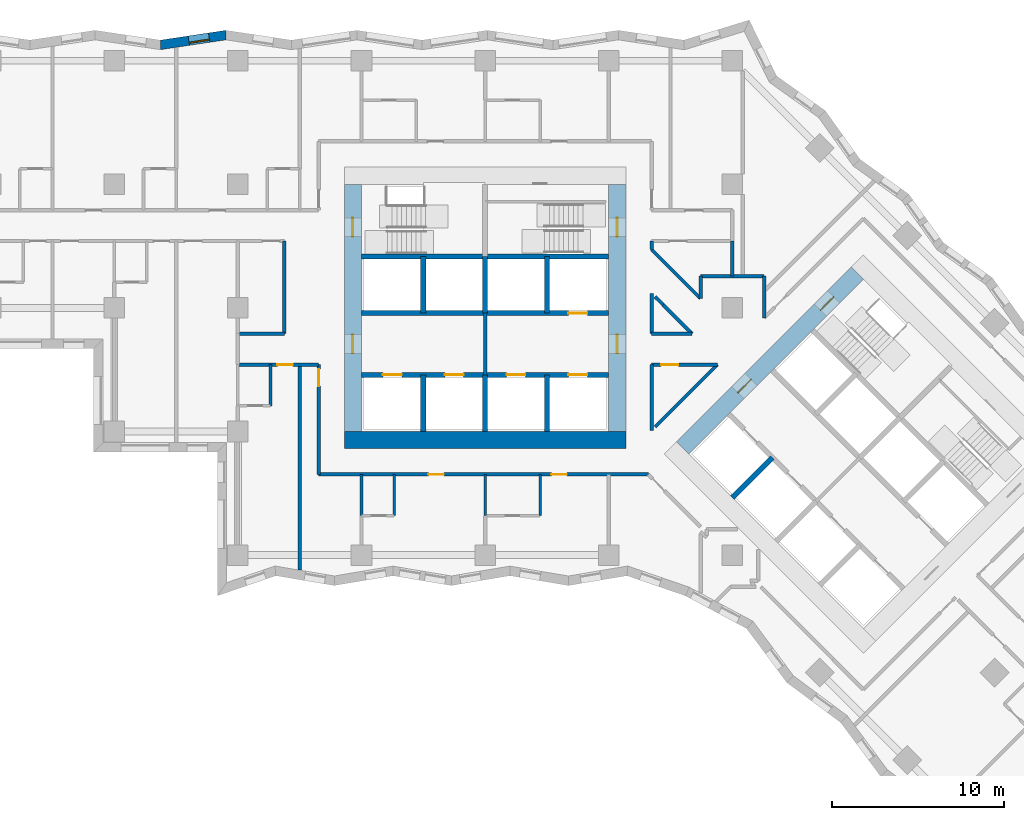
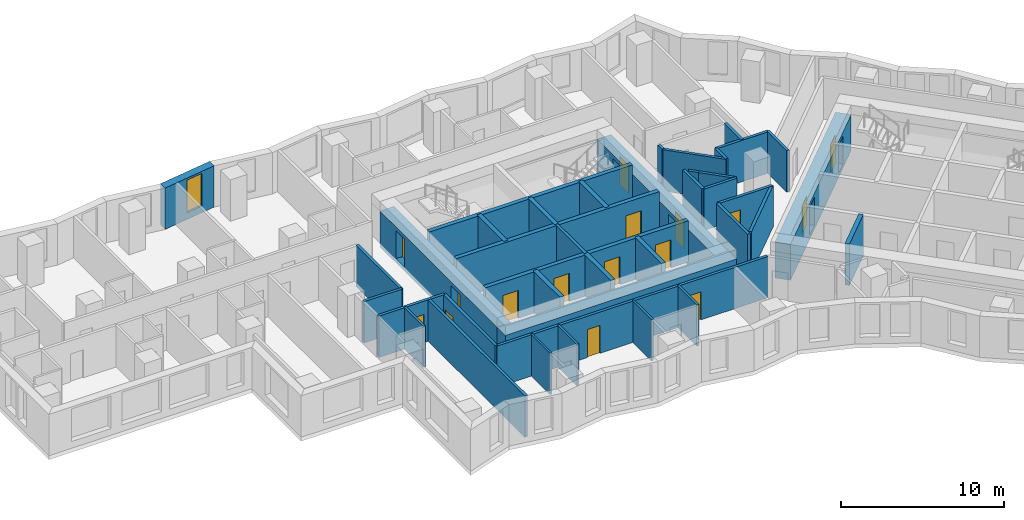
# One storey, part 5 of 12: 41 walls, 16 doors, 1 window, 17 openings.
"""IFC4 building model written with IfcOpenShell, lengths in metres."""

from ifc_helpers import new_model, si_unit, direction, frame, frame_2d, origin, place, context, subcontext, project, spatial, polyline, rectangle, outline, extrude, material, layer, layer_set, type_object, element, fill, save


model = new_model("IFC4")

# Units and contexts
model_context = context("Model", 3, precision=1e-05, world=origin(), true_north=direction((0.0, 1.0)))
body_context = subcontext(model_context, "Body", "Model", "MODEL_VIEW")
ifc_project = project(units=[si_unit("LENGTHUNIT", "METRE"), si_unit("AREAUNIT", "SQUARE_METRE"), si_unit("VOLUMEUNIT", "CUBIC_METRE"), si_unit("PLANEANGLEUNIT", "RADIAN"), si_unit("MASSUNIT", "GRAM", prefix="KILO")], contexts=[model_context])

# Site, building, storey
site_placement = place(None, origin())
site = spatial("IfcSite", under=ifc_project, at=site_placement, CompositionType="ELEMENT")
building_placement = place(site_placement, origin())
building = spatial("IfcBuilding", under=site, at=building_placement, Name="Windrow Commons", CompositionType="ELEMENT")
storey_placement = place(building_placement, frame((0.0, 0.0, 57.6)))
storey = spatial("IfcBuildingStorey", under=building, at=storey_placement, Name="L15", CompositionType="ELEMENT", Elevation=57.6)

# Wall, opening, window
ifc_material_1 = material(Name="Brick masonry, red clay brick", Category="masonry")
ifc_layer_1 = layer(ifc_material_1, 0.55)
ifc_layer_set_1 = layer_set([ifc_layer_1], Name="Brick facade wall 550")
wall_type_1 = type_object("IfcWallType", Name="Brick facade wall 550", PredefinedType="SOLIDWALL", material=ifc_layer_set_1)
wall_1_placement = place(storey_placement, frame((49.7053, 73.4939, 0.0), z_axis=(0.0, 0.0, 1.0), x_axis=(-0.9889155896, -0.1484788086, 0.0)))
wall_1 = element("IfcWall", 1, at=wall_1_placement, inside=storey, type_object=wall_type_1, Name="Brick facade wall L15 31", PredefinedType="SOLIDWALL", context=body_context, shape_type="SweptSolid", body=[
    extrude(outline(polyline([(-0.0413, -0.275), (3.8111, -0.275), (3.8937, 0.275), (0.0413, 0.275), (-0.0413, -0.275)])), origin(), (0.0, 0.0, 1.0), 3.1),
])
opening_1_placement = place(wall_1_placement, frame((0.9896, 0.0, 0.5)))
opening_1 = element("IfcOpeningElement", 2, at=opening_1_placement, cuts=wall_1, Name="Opening W7D", PredefinedType="OPENING", context=body_context, shape_type="SweptSolid", body=[
    extrude(rectangle(XDim=1.2, YDim=2.45, at=frame_2d((0.6, 1.225))), frame((0.0, 0.285, 0.0), z_axis=(0.0, -1.0, 0.0), x_axis=(1.0, 0.0, 0.0)), (0.0, 0.0, 1.0), 0.57),
])
ifc_material_2 = material(Name="Clear float glass in anodised aluminium frame", Category="aluminium")
window_type = type_object("IfcWindowType", Name="Window W7 notch 1200x2450", PartitioningType="SINGLE_PANEL", PredefinedType="WINDOW", material=ifc_material_2)
window_placement = place(opening_1_placement, origin())
window = element("IfcWindow", 3, at=window_placement, inside=storey, type_object=window_type, Name="Window L15 31.1", OverallHeight=2.45, OverallWidth=1.2, PartitioningType="SINGLE_PANEL", PredefinedType="WINDOW", context=body_context, shape_type="SweptSolid", body=[
    extrude(rectangle(XDim=1.2, YDim=2.45, at=frame_2d((0.6, 1.225))), frame((0.0, 0.155, 0.0), z_axis=(0.0, -1.0, 0.0), x_axis=(1.0, 0.0, 0.0)), (0.0, 0.0, 1.0), 0.06),
])
fill(opening_1, window)

# Wall
ifc_material_3 = material(Name="Blockwork partition", Category="masonry")
ifc_layer_2 = layer(ifc_material_3, 0.2)
ifc_layer_set_2 = layer_set([ifc_layer_2], Name="Fire lobby partition 200")
wall_type_2 = type_object("IfcWallType", Name="Fire lobby partition 200", PredefinedType="PARTITIONING", material=ifc_layer_set_2)
wall_2_placement = place(storey_placement, frame((64.8, 53.7, 0.0), z_axis=(0.0, 0.0, 1.0), x_axis=(0.0, 1.0, 0.0)))
element("IfcWall", 4, at=wall_2_placement, inside=storey, type_object=wall_type_2, Name="W-core-lobby-A-L15", PredefinedType="PARTITIONING", context=body_context, shape_type="SweptSolid", body=[
    extrude(rectangle(XDim=3.6, YDim=0.2, at=frame_2d((1.8, 0.0))), origin(), (0.0, 0.0, 1.0), 3.1),
])

# Wall, openings, doors
ifc_material_4 = material(Name="Blockwork partition", Category="masonry")
ifc_layer_3 = layer(ifc_material_4, 0.2)
ifc_layer_set_3 = layer_set([ifc_layer_3], Name="IW-CORRIDOR-200")
wall_type_3 = type_object("IfcWallType", Name="IW-CORRIDOR-200", PredefinedType="PARTITIONING", material=ifc_layer_set_3)
wall_3_placement = place(storey_placement, frame((55.1, 47.9, 0.0), z_axis=(0.0, 0.0, 1.0), x_axis=(1.0, 0.0, 0.0)))
wall_3 = element("IfcWall", 5, at=wall_3_placement, inside=storey, type_object=wall_type_3, Name="W-L15-W003", PredefinedType="PARTITIONING", context=body_context, shape_type="SweptSolid", body=[
    extrude(rectangle(XDim=19.208, YDim=0.2, at=frame_2d((9.604, 0.0))), origin(), (0.0, 0.0, 1.0), 3.1),
])
opening_2_placement = place(wall_3_placement, frame((6.3994, 0.0, 0.0)))
opening_2 = element("IfcOpeningElement", 6, at=opening_2_placement, cuts=wall_3, Name="Opening D109F", PredefinedType="OPENING", context=body_context, shape_type="SweptSolid", body=[
    extrude(rectangle(XDim=0.9, YDim=2.1, at=frame_2d((0.45, 1.05))), frame((0.0, 0.11, 0.0), z_axis=(0.0, -1.0, 0.0), x_axis=(1.0, 0.0, 0.0)), (0.0, 0.0, 1.0), 0.22),
])
opening_3_placement = place(wall_3_placement, frame((13.5607, 0.0, 0.0)))
opening_3 = element("IfcOpeningElement", 7, at=opening_3_placement, cuts=wall_3, Name="Opening D109F", PredefinedType="OPENING", context=body_context, shape_type="SweptSolid", body=[
    extrude(rectangle(XDim=0.9, YDim=2.1, at=frame_2d((0.45, 1.05))), frame((0.0, 0.11, 0.0), z_axis=(0.0, -1.0, 0.0), x_axis=(1.0, 0.0, 0.0)), (0.0, 0.0, 1.0), 0.22),
])
ifc_material_5 = material(Name="Timber door leaf", Category="wood")
door_type_1 = type_object("IfcDoorType", Name="DT-BEDROOM-900", OperationType="SINGLE_SWING_LEFT", PredefinedType="DOOR", material=ifc_material_5)
door_1_placement = place(opening_2_placement, origin())
door_1 = element("IfcDoor", 8, at=door_1_placement, inside=storey, type_object=door_type_1, Name="D-L15-D029", OperationType="SINGLE_SWING_LEFT", OverallHeight=2.1, OverallWidth=0.9, PredefinedType="DOOR", context=body_context, shape_type="SweptSolid", body=[
    extrude(rectangle(XDim=0.9, YDim=2.1, at=frame_2d((0.45, 1.05))), frame((0.0, 0.025, 0.0), z_axis=(0.0, -1.0, 0.0), x_axis=(1.0, 0.0, 0.0)), (0.0, 0.0, 1.0), 0.05),
])
fill(opening_2, door_1)
door_2_placement = place(opening_3_placement, origin())
door_2 = element("IfcDoor", 9, at=door_2_placement, inside=storey, type_object=door_type_1, Name="D-L15-D031", OperationType="SINGLE_SWING_LEFT", OverallHeight=2.1, OverallWidth=0.9, PredefinedType="DOOR", context=body_context, shape_type="SweptSolid", body=[
    extrude(rectangle(XDim=0.9, YDim=2.1, at=frame_2d((0.45, 1.05))), frame((0.0, 0.025, 0.0), z_axis=(0.0, -1.0, 0.0), x_axis=(1.0, 0.0, 0.0)), (0.0, 0.0, 1.0), 0.05),
])
fill(opening_3, door_2)

# Wall, opening, door
wall_4_placement = place(storey_placement, frame((55.1, 47.9, 0.0), z_axis=(0.0, 0.0, 1.0), x_axis=(0.0, 1.0, 0.0)))
wall_4 = element("IfcWall", 10, at=wall_4_placement, inside=storey, type_object=wall_type_3, Name="W-L15-W027", PredefinedType="PARTITIONING", context=body_context, shape_type="SweptSolid", body=[
    extrude(rectangle(XDim=6.4, YDim=0.2, at=frame_2d((3.2, 0.0))), origin(), (0.0, 0.0, 1.0), 3.1),
])
opening_4_placement = place(wall_4_placement, frame((5.1407, 0.0, 0.0)))
opening_4 = element("IfcOpeningElement", 11, at=opening_4_placement, cuts=wall_4, Name="Opening D310F", PredefinedType="OPENING", context=body_context, shape_type="SweptSolid", body=[
    extrude(rectangle(XDim=1.0, YDim=2.1, at=frame_2d((0.5, 1.05))), frame((0.0, 0.11, 0.0), z_axis=(0.0, -1.0, 0.0), x_axis=(1.0, 0.0, 0.0)), (0.0, 0.0, 1.0), 0.22),
])
ifc_material_6 = material(Name="Timber door leaf", Category="wood")
door_type_2 = type_object("IfcDoorType", Name="DT-AMENITY-1000", OperationType="SINGLE_SWING_LEFT", PredefinedType="DOOR", material=ifc_material_6)
door_3_placement = place(opening_4_placement, origin())
door_3 = element("IfcDoor", 12, at=door_3_placement, inside=storey, type_object=door_type_2, Name="D-L15-D024", OperationType="SINGLE_SWING_RIGHT", OverallHeight=2.1, OverallWidth=1.0, PredefinedType="DOOR", context=body_context, shape_type="SweptSolid", body=[
    extrude(rectangle(XDim=1.0, YDim=2.1, at=frame_2d((0.5, 1.05))), frame((0.0, 0.025, 0.0), z_axis=(0.0, -1.0, 0.0), x_axis=(1.0, 0.0, 0.0)), (0.0, 0.0, 1.0), 0.05),
])
fill(opening_4, door_3)

# Walls
wall_5_placement = place(storey_placement, frame((53.1, 56.102, 0.0), z_axis=(0.0, 0.0, 1.0), x_axis=(0.0, 1.0, 0.0)))
element("IfcWall", 13, at=wall_5_placement, inside=storey, type_object=wall_type_3, Name="W-L15-W035", PredefinedType="PARTITIONING", context=body_context, shape_type="SweptSolid", body=[
    extrude(rectangle(XDim=5.398, YDim=0.2, at=frame_2d((2.699, 0.0))), origin(), (0.0, 0.0, 1.0), 3.1),
])
wall_6_placement = place(storey_placement, frame((74.6987, 50.6713, 0.0), z_axis=(0.0, 0.0, 1.0), x_axis=(0.7071067812, 0.7071067812, 0.0)))
element("IfcWall", 14, at=wall_6_placement, inside=storey, type_object=wall_type_3, Name="W-L15-W036", PredefinedType="PARTITIONING", context=body_context, shape_type="SweptSolid", body=[
    extrude(rectangle(XDim=5.1308, YDim=0.2, at=frame_2d((2.5654, 0.0))), origin(), (0.0, 0.0, 1.0), 3.1),
])

# Wall, opening, door
wall_7_placement = place(storey_placement, frame((50.4, 54.3, 0.0), z_axis=(0.0, 0.0, 1.0), x_axis=(1.0, 0.0, 0.0)))
wall_7 = element("IfcWall", 15, at=wall_7_placement, inside=storey, type_object=wall_type_3, Name="W-L15-W039", PredefinedType="PARTITIONING", context=body_context, shape_type="SweptSolid", body=[
    extrude(rectangle(XDim=4.7, YDim=0.2, at=frame_2d((2.35, 0.0))), origin(), (0.0, 0.0, 1.0), 3.1),
])
opening_5_placement = place(wall_7_placement, frame((2.3, 0.0, 0.0)))
opening_5 = element("IfcOpeningElement", 16, at=opening_5_placement, cuts=wall_7, Name="Opening D109S", PredefinedType="OPENING", context=body_context, shape_type="SweptSolid", body=[
    extrude(rectangle(XDim=0.9, YDim=2.1, at=frame_2d((0.45, 1.05))), frame((0.0, 0.11, 0.0), z_axis=(0.0, -1.0, 0.0), x_axis=(1.0, 0.0, 0.0)), (0.0, 0.0, 1.0), 0.22),
])
door_4_placement = place(opening_5_placement, origin())
door_4 = element("IfcDoor", 17, at=door_4_placement, inside=storey, type_object=door_type_1, Name="D-L15-D022", OperationType="SINGLE_SWING_LEFT", OverallHeight=2.1, OverallWidth=0.9, PredefinedType="DOOR", context=body_context, shape_type="SweptSolid", body=[
    extrude(rectangle(XDim=0.9, YDim=2.1, at=frame_2d((0.45, 1.05))), frame((0.0, 0.025, 0.0), z_axis=(0.0, -1.0, 0.0), x_axis=(1.0, 0.0, 0.0)), (0.0, 0.0, 1.0), 0.05),
])
fill(opening_5, door_4)

# Walls
wall_8_placement = place(storey_placement, frame((74.4969, 60.9989, 0.0), z_axis=(0.0, 0.0, 1.0), x_axis=(0.7071067812, -0.7071067812, 0.0)))
element("IfcWall", 18, at=wall_8_placement, inside=storey, type_object=wall_type_3, Name="W-L15-W048", PredefinedType="PARTITIONING", context=body_context, shape_type="SweptSolid", body=[
    extrude(rectangle(XDim=4.0277, YDim=0.2, at=frame_2d((2.0139, 0.0))), origin(), (0.0, 0.0, 1.0), 3.1),
])
wall_9_placement = place(storey_placement, frame((74.5, 50.474, 0.0), z_axis=(0.0, 0.0, 1.0), x_axis=(0.0, 1.0, 0.0)))
element("IfcWall", 19, at=wall_9_placement, inside=storey, type_object=wall_type_3, Name="W-L15-W051", PredefinedType="PARTITIONING", context=body_context, shape_type="SweptSolid", body=[
    extrude(rectangle(XDim=3.826, YDim=0.2, at=frame_2d((1.913, 0.0))), origin(), (0.0, 0.0, 1.0), 3.1),
])

# Wall, opening, door
wall_10_placement = place(storey_placement, frame((74.502, 54.3, 0.0), z_axis=(0.0, 0.0, 1.0), x_axis=(1.0, 0.0, 0.0)))
wall_10 = element("IfcWall", 20, at=wall_10_placement, inside=storey, type_object=wall_type_3, Name="W-L15-W052", PredefinedType="PARTITIONING", context=body_context, shape_type="SweptSolid", body=[
    extrude(rectangle(XDim=3.824, YDim=0.2, at=frame_2d((1.912, 0.0))), origin(), (0.0, 0.0, 1.0), 3.1),
])
opening_6_placement = place(wall_10_placement, frame((0.5499, 0.0, 0.0)))
opening_6 = element("IfcOpeningElement", 21, at=opening_6_placement, cuts=wall_10, Name="Opening D310F", PredefinedType="OPENING", context=body_context, shape_type="SweptSolid", body=[
    extrude(rectangle(XDim=1.0, YDim=2.1, at=frame_2d((0.5, 1.05))), frame((0.0, 0.11, 0.0), z_axis=(0.0, -1.0, 0.0), x_axis=(1.0, 0.0, 0.0)), (0.0, 0.0, 1.0), 0.22),
])
door_5_placement = place(opening_6_placement, origin())
door_5 = element("IfcDoor", 22, at=door_5_placement, inside=storey, type_object=door_type_2, Name="D-L15-D000", OperationType="SINGLE_SWING_RIGHT", OverallHeight=2.1, OverallWidth=1.0, PredefinedType="DOOR", context=body_context, shape_type="SweptSolid", body=[
    extrude(rectangle(XDim=1.0, YDim=2.1, at=frame_2d((0.5, 1.05))), frame((0.0, 0.025, 0.0), z_axis=(0.0, -1.0, 0.0), x_axis=(1.0, 0.0, 0.0)), (0.0, 0.0, 1.0), 0.05),
])
fill(opening_6, door_5)

# Walls
wall_11_placement = place(storey_placement, frame((77.352, 59.45, 0.0), z_axis=(0.0, 0.0, 1.0), x_axis=(1.0, 0.0, 0.0)))
element("IfcWall", 23, at=wall_11_placement, inside=storey, type_object=wall_type_3, Name="W-L15-W053", PredefinedType="PARTITIONING", context=body_context, shape_type="SweptSolid", body=[
    extrude(rectangle(XDim=3.698, YDim=0.2, at=frame_2d((1.849, 0.0))), origin(), (0.0, 0.0, 1.0), 3.1),
])
wall_12_placement = place(storey_placement, frame((50.4, 56.1, 0.0), z_axis=(0.0, 0.0, 1.0), x_axis=(1.0, 0.0, 0.0)))
element("IfcWall", 24, at=wall_12_placement, inside=storey, type_object=wall_type_3, Name="W-L15-W066", PredefinedType="PARTITIONING", context=body_context, shape_type="SweptSolid", body=[
    extrude(rectangle(XDim=2.7, YDim=0.2, at=frame_2d((1.35, 0.0))), origin(), (0.0, 0.0, 1.0), 3.1),
])
wall_13_placement = place(storey_placement, frame((81.05, 57.024, 0.0), z_axis=(0.0, 0.0, 1.0), x_axis=(0.0, 1.0, 0.0)))
element("IfcWall", 25, at=wall_13_placement, inside=storey, type_object=wall_type_3, Name="W-L15-W071", PredefinedType="PARTITIONING", context=body_context, shape_type="SweptSolid", body=[
    extrude(rectangle(XDim=2.426, YDim=0.2, at=frame_2d((1.213, 0.0))), origin(), (0.0, 0.0, 1.0), 3.1),
])
wall_14_placement = place(storey_placement, frame((75.168, 57.786, 0.0), z_axis=(0.0, 0.0, 1.0), x_axis=(0.7066870088, -0.7075263045, 0.0)))
element("IfcWall", 26, at=wall_14_placement, inside=storey, type_object=wall_type_3, Name="W-L15-W109", PredefinedType="PARTITIONING", context=body_context, shape_type="SweptSolid", body=[
    extrude(rectangle(XDim=2.383, YDim=0.2, at=frame_2d((1.1915, 0.0))), origin(), (0.0, 0.0, 1.0), 3.1),
])
for number, where, z_axis, x_axis, name in (
    (27, (74.502, 56.1, 0.0), (0.0, 0.0, 1.0), (1.0, 0.0, 0.0), "W-L15-W110"),
    (28, (74.5, 56.102, 0.0), (0.0, 0.0, 1.0), (0.0, 1.0, 0.0), "W-L15-W111"),
):
    element("IfcWall", number, at=place(storey_placement, frame(where, z_axis=z_axis, x_axis=x_axis)), inside=storey, type_object=wall_type_3, Name=name, PredefinedType="PARTITIONING", context=body_context, shape_type="SweptSolid", body=[
        extrude(rectangle(XDim=2.352, YDim=0.2, at=frame_2d((1.176, 0.0))), origin(), (0.0, 0.0, 1.0), 3.1),
    ])
wall_15_placement = place(storey_placement, frame((77.35, 58.154, 0.0), z_axis=(0.0, 0.0, 1.0), x_axis=(0.0, 1.0, 0.0)))
element("IfcWall", 29, at=wall_15_placement, inside=storey, type_object=wall_type_3, Name="W-L15-W142", PredefinedType="PARTITIONING", context=body_context, shape_type="SweptSolid", body=[
    extrude(rectangle(XDim=1.296, YDim=0.2, at=frame_2d((0.648, 0.0))), origin(), (0.0, 0.0, 1.0), 3.1),
])
wall_16_placement = place(storey_placement, frame((74.7006, 58.2566, 0.0), z_axis=(0.0, 0.0, 1.0), x_axis=(0.7086128608, -0.7055974869, 0.0)))
element("IfcWall", 30, at=wall_16_placement, inside=storey, type_object=wall_type_3, Name="W-L15-W152", PredefinedType="PARTITIONING", context=body_context, shape_type="SweptSolid", body=[
    extrude(rectangle(XDim=0.6633, YDim=0.2, at=frame_2d((0.3317, 0.0))), origin(), (0.0, 0.0, 1.0), 3.1),
])
wall_17_placement = place(storey_placement, frame((74.5, 61.002, 0.0), z_axis=(0.0, 0.0, 1.0), x_axis=(0.0, 1.0, 0.0)))
element("IfcWall", 31, at=wall_17_placement, inside=storey, type_object=wall_type_3, Name="W-L15-W162", PredefinedType="PARTITIONING", context=body_context, shape_type="SweptSolid", body=[
    extrude(rectangle(XDim=0.498, YDim=0.2, at=frame_2d((0.249, 0.0))), origin(), (0.0, 0.0, 1.0), 3.1),
])
ifc_material_7 = material(Name="Blockwork partition", Category="masonry")
ifc_layer_4 = layer(ifc_material_7, 0.15)
ifc_layer_set_4 = layer_set([ifc_layer_4], Name="IW-ENSUITE-150")
wall_type_4 = type_object("IfcWallType", Name="IW-ENSUITE-150", PredefinedType="PARTITIONING", material=ifc_layer_set_4)
for number, where, z_axis, x_axis, name in (
    (32, (52.3, 51.9, 0.0), (0.0, 0.0, 1.0), (0.0, 1.0, 0.0), "W-L15-W090"),
    (33, (59.5, 45.5, 0.0), (0.0, 0.0, 1.0), (0.0, 1.0, 0.0), "W-L15-W092"),
    (34, (57.6, 45.5, 0.0), (0.0, 0.0, 1.0), (0.0, 1.0, 0.0), "W-L15-W093"),
    (35, (68.0, 45.5, 0.0), (0.0, 0.0, 1.0), (0.0, 1.0, 0.0), "W-L15-W094"),
    (36, (64.8, 45.5, 0.0), (0.0, 0.0, 1.0), (0.0, 1.0, 0.0), "W-L15-W095"),
):
    element("IfcWall", number, at=place(storey_placement, frame(where, z_axis=z_axis, x_axis=x_axis)), inside=storey, type_object=wall_type_4, Name=name, PredefinedType="PARTITIONING", context=body_context, shape_type="SweptSolid", body=[
        extrude(rectangle(XDim=2.4, YDim=0.15, at=frame_2d((1.2, 0.0))), origin(), (0.0, 0.0, 1.0), 3.1),
    ])
ifc_material_8 = material(Name="Blockwork partition", Category="masonry")
ifc_layer_5 = layer(ifc_material_8, 0.2)
ifc_layer_set_5 = layer_set([ifc_layer_5], Name="IW-PARTY-200")
wall_type_5 = type_object("IfcWallType", Name="IW-PARTY-200", PredefinedType="PARTITIONING", material=ifc_layer_set_5)
wall_18_placement = place(storey_placement, frame((54.0, 42.3242, 0.0), z_axis=(0.0, 0.0, 1.0), x_axis=(0.0, 1.0, 0.0)))
element("IfcWall", 37, at=wall_18_placement, inside=storey, type_object=wall_type_5, Name="W-L15-W007", PredefinedType="PARTITIONING", context=body_context, shape_type="SweptSolid", body=[
    extrude(rectangle(XDim=11.9758, YDim=0.2, at=frame_2d((5.9879, 0.0))), origin(), (0.0, 0.0, 1.0), 3.1),
])
wall_19_placement = place(storey_placement, frame((79.2, 59.45, 0.0), z_axis=(0.0, 0.0, 1.0), x_axis=(0.0, 1.0, 0.0)))
element("IfcWall", 38, at=wall_19_placement, inside=storey, type_object=wall_type_5, Name="W-L15-W113", PredefinedType="PARTITIONING", context=body_context, shape_type="SweptSolid", body=[
    extrude(rectangle(XDim=2.05, YDim=0.2, at=frame_2d((1.025, 0.0))), origin(), (0.0, 0.0, 1.0), 3.1),
])
ifc_material_9 = material(Name="Concrete C60/75", Category="concrete")
ifc_layer_6 = layer(ifc_material_9, 1.0)
ifc_layer_set_6 = layer_set([ifc_layer_6], Name="RC CORE WALL 1000 C60/75")
wall_type_6 = type_object("IfcWallType", Name="RC CORE WALL 1000 C60/75", PredefinedType="SHEAR", material=ifc_layer_set_6)
wall_20_placement = place(storey_placement, frame((56.6, 49.9, -0.3), z_axis=(0.0, 0.0, 1.0), x_axis=(1.0, 0.0, 0.0)))
element("IfcWall", 39, at=wall_20_placement, inside=storey, type_object=wall_type_6, Name="Core A wall outer-S", PredefinedType="SHEAR", context=body_context, shape_type="SweptSolid", body=[
    extrude(rectangle(XDim=16.4, YDim=1.0, at=frame_2d((8.2, 0.0))), origin(), (0.0, 0.0, 1.0), 2.7),
])

# Wall, openings, doors
wall_21_placement = place(storey_placement, frame((57.1, 50.4, -0.3), z_axis=(0.0, 0.0, 1.0), x_axis=(0.0, 1.0, 0.0)))
wall_21 = element("IfcWall", 40, at=wall_21_placement, inside=storey, type_object=wall_type_6, Name="Core A wall outer-W", PredefinedType="SHEAR", context=body_context, shape_type="SweptSolid", body=[
    extrude(rectangle(XDim=14.4, YDim=1.0, at=frame_2d((7.2, 0.0))), origin(), (0.0, 0.0, 1.0), 2.7),
])
opening_7_placement = place(wall_21_placement, frame((4.55, 0.0, 0.3)))
opening_7 = element("IfcOpeningElement", 41, at=opening_7_placement, cuts=wall_21, Name="Opening D6", PredefinedType="OPENING", context=body_context, shape_type="SweptSolid", body=[
    extrude(rectangle(XDim=1.1, YDim=2.1, at=frame_2d((0.55, 1.05))), frame((0.0, 0.51, 0.0), z_axis=(0.0, -1.0, 0.0), x_axis=(1.0, 0.0, 0.0)), (0.0, 0.0, 1.0), 1.02),
])
opening_8_placement = place(wall_21_placement, frame((11.35, 0.0, 0.3)))
opening_8 = element("IfcOpeningElement", 42, at=opening_8_placement, cuts=wall_21, Name="Opening D7", PredefinedType="OPENING", context=body_context, shape_type="SweptSolid", body=[
    extrude(rectangle(XDim=1.1, YDim=2.1, at=frame_2d((0.55, 1.05))), frame((0.0, 0.51, 0.0), z_axis=(0.0, -1.0, 0.0), x_axis=(1.0, 0.0, 0.0)), (0.0, 0.0, 1.0), 1.02),
])
ifc_material_10 = material(Name="Steel fire door leaf", Category="steel")
door_type_3 = type_object("IfcDoorType", Name="Core lobby door 1100", OperationType="SINGLE_SWING_LEFT", PredefinedType="DOOR", material=ifc_material_10)
door_6_placement = place(opening_7_placement, origin())
door_6 = element("IfcDoor", 43, at=door_6_placement, inside=storey, type_object=door_type_3, Name="Lift lobby door", OperationType="DOUBLE_DOOR_SINGLE_SWING", OverallHeight=2.1, OverallWidth=1.1, PredefinedType="DOOR", context=body_context, shape_type="SweptSolid", body=[
    extrude(rectangle(XDim=1.1, YDim=2.1, at=frame_2d((0.55, 1.05))), frame((0.0, 0.025, 0.0), z_axis=(0.0, -1.0, 0.0), x_axis=(1.0, 0.0, 0.0)), (0.0, 0.0, 1.0), 0.05),
])
fill(opening_7, door_6)
ifc_material_11 = material(Name="Steel fire door leaf", Category="steel")
door_type_4 = type_object("IfcDoorType", Name="Stair door 1100", OperationType="SINGLE_SWING_LEFT", PredefinedType="DOOR", material=ifc_material_11)
door_7_placement = place(opening_8_placement, origin())
door_7 = element("IfcDoor", 44, at=door_7_placement, inside=storey, type_object=door_type_4, Name="Stair door", OperationType="SINGLE_SWING_LEFT", OverallHeight=2.1, OverallWidth=1.1, PredefinedType="DOOR", context=body_context, shape_type="SweptSolid", body=[
    extrude(rectangle(XDim=1.1, YDim=2.1, at=frame_2d((0.55, 1.05))), frame((0.0, 0.025, 0.0), z_axis=(0.0, -1.0, 0.0), x_axis=(1.0, 0.0, 0.0)), (0.0, 0.0, 1.0), 0.05),
])
fill(opening_8, door_7)

wall_22_placement = place(storey_placement, frame((72.5, 50.4, -0.3), z_axis=(0.0, 0.0, 1.0), x_axis=(0.0, 1.0, 0.0)))
wall_22 = element("IfcWall", 45, at=wall_22_placement, inside=storey, type_object=wall_type_6, Name="Core A wall outer-E", PredefinedType="SHEAR", context=body_context, shape_type="SweptSolid", body=[
    extrude(rectangle(XDim=14.4, YDim=1.0, at=frame_2d((7.2, 0.0))), origin(), (0.0, 0.0, 1.0), 2.7),
])
opening_9_placement = place(wall_22_placement, frame((4.55, 0.0, 0.3)))
opening_9 = element("IfcOpeningElement", 46, at=opening_9_placement, cuts=wall_22, Name="Opening D6", PredefinedType="OPENING", context=body_context, shape_type="SweptSolid", body=[
    extrude(rectangle(XDim=1.1, YDim=2.1, at=frame_2d((0.55, 1.05))), frame((0.0, 0.51, 0.0), z_axis=(0.0, -1.0, 0.0), x_axis=(1.0, 0.0, 0.0)), (0.0, 0.0, 1.0), 1.02),
])
opening_10_placement = place(wall_22_placement, frame((11.35, 0.0, 0.3)))
opening_10 = element("IfcOpeningElement", 47, at=opening_10_placement, cuts=wall_22, Name="Opening D7", PredefinedType="OPENING", context=body_context, shape_type="SweptSolid", body=[
    extrude(rectangle(XDim=1.1, YDim=2.1, at=frame_2d((0.55, 1.05))), frame((0.0, 0.51, 0.0), z_axis=(0.0, -1.0, 0.0), x_axis=(1.0, 0.0, 0.0)), (0.0, 0.0, 1.0), 1.02),
])
door_8_placement = place(opening_9_placement, origin())
door_8 = element("IfcDoor", 48, at=door_8_placement, inside=storey, type_object=door_type_3, Name="Lift lobby door", OperationType="DOUBLE_DOOR_SINGLE_SWING", OverallHeight=2.1, OverallWidth=1.1, PredefinedType="DOOR", context=body_context, shape_type="SweptSolid", body=[
    extrude(rectangle(XDim=1.1, YDim=2.1, at=frame_2d((0.55, 1.05))), frame((0.0, 0.025, 0.0), z_axis=(0.0, -1.0, 0.0), x_axis=(1.0, 0.0, 0.0)), (0.0, 0.0, 1.0), 0.05),
])
fill(opening_9, door_8)
door_9_placement = place(opening_10_placement, origin())
door_9 = element("IfcDoor", 49, at=door_9_placement, inside=storey, type_object=door_type_4, Name="Stair door", OperationType="SINGLE_SWING_RIGHT", OverallHeight=2.1, OverallWidth=1.1, PredefinedType="DOOR", context=body_context, shape_type="SweptSolid", body=[
    extrude(rectangle(XDim=1.1, YDim=2.1, at=frame_2d((0.55, 1.05))), frame((0.0, 0.025, 0.0), z_axis=(0.0, -1.0, 0.0), x_axis=(1.0, 0.0, 0.0)), (0.0, 0.0, 1.0), 0.05),
])
fill(opening_10, door_9)

wall_23_placement = place(storey_placement, frame((76.3009, 49.4433, -0.3), z_axis=(0.0, 0.0, 1.0), x_axis=(0.7071067812, 0.7071067812, 0.0)))
wall_23 = element("IfcWall", 50, at=wall_23_placement, inside=storey, type_object=wall_type_6, Name="Core B wall outer-W", PredefinedType="SHEAR", context=body_context, shape_type="SweptSolid", body=[
    extrude(rectangle(XDim=14.3999, YDim=1.0, at=frame_2d((7.2, 0.0))), origin(), (0.0, 0.0, 1.0), 2.7),
])
opening_11_placement = place(wall_23_placement, frame((4.55, 0.0, 0.3)))
opening_11 = element("IfcOpeningElement", 51, at=opening_11_placement, cuts=wall_23, Name="Opening D6", PredefinedType="OPENING", context=body_context, shape_type="SweptSolid", body=[
    extrude(rectangle(XDim=1.1, YDim=2.1, at=frame_2d((0.55, 1.05))), frame((0.0, 0.51, 0.0), z_axis=(0.0, -1.0, 0.0), x_axis=(1.0, 0.0, 0.0)), (0.0, 0.0, 1.0), 1.02),
])
opening_12_placement = place(wall_23_placement, frame((11.35, 0.0, 0.3)))
opening_12 = element("IfcOpeningElement", 52, at=opening_12_placement, cuts=wall_23, Name="Opening D7", PredefinedType="OPENING", context=body_context, shape_type="SweptSolid", body=[
    extrude(rectangle(XDim=1.1, YDim=2.1, at=frame_2d((0.55, 1.05))), frame((0.0, 0.51, 0.0), z_axis=(0.0, -1.0, 0.0), x_axis=(1.0, 0.0, 0.0)), (0.0, 0.0, 1.0), 1.02),
])
door_10_placement = place(opening_11_placement, origin())
door_10 = element("IfcDoor", 53, at=door_10_placement, inside=storey, type_object=door_type_3, Name="Lift lobby door", OperationType="DOUBLE_DOOR_SINGLE_SWING", OverallHeight=2.1, OverallWidth=1.1, PredefinedType="DOOR", context=body_context, shape_type="SweptSolid", body=[
    extrude(rectangle(XDim=1.1, YDim=2.1, at=frame_2d((0.55, 1.05))), frame((0.0, 0.025, 0.0), z_axis=(0.0, -1.0, 0.0), x_axis=(1.0, 0.0, 0.0)), (0.0, 0.0, 1.0), 0.05),
])
fill(opening_11, door_10)
door_11_placement = place(opening_12_placement, origin())
door_11 = element("IfcDoor", 54, at=door_11_placement, inside=storey, type_object=door_type_4, Name="Stair door", OperationType="SINGLE_SWING_LEFT", OverallHeight=2.1, OverallWidth=1.1, PredefinedType="DOOR", context=body_context, shape_type="SweptSolid", body=[
    extrude(rectangle(XDim=1.1, YDim=2.1, at=frame_2d((0.55, 1.05))), frame((0.0, 0.025, 0.0), z_axis=(0.0, -1.0, 0.0), x_axis=(1.0, 0.0, 0.0)), (0.0, 0.0, 1.0), 0.05),
])
fill(opening_12, door_11)

# Walls
ifc_material_12 = material(Name="Concrete C60/75", Category="concrete")
ifc_layer_7 = layer(ifc_material_12, 0.3)
ifc_layer_set_7 = layer_set([ifc_layer_7], Name="RC SHAFT WALL 300 C60/75")
wall_type_7 = type_object("IfcWallType", Name="RC SHAFT WALL 300 C60/75", PredefinedType="SOLIDWALL", material=ifc_layer_set_7)
for number, where, z_axis, x_axis, name in (
    (55, (61.2, 50.4, 0.0), (0.0, 0.0, 1.0), (0.0, 1.0, 0.0), "Core A wall shaft-S1"),
    (56, (61.2, 57.3, 0.0), (0.0, 0.0, 1.0), (0.0, 1.0, 0.0), "Core A wall shaft-N1"),
    (57, (64.8, 50.4, 0.0), (0.0, 0.0, 1.0), (0.0, 1.0, 0.0), "Core A wall shaft-S2"),
    (58, (64.8, 57.3, 0.0), (0.0, 0.0, 1.0), (0.0, 1.0, 0.0), "Core A wall shaft-N2"),
    (59, (68.4, 50.4, 0.0), (0.0, 0.0, 1.0), (0.0, 1.0, 0.0), "Core A wall shaft-S3"),
    (60, (68.4, 57.3, 0.0), (0.0, 0.0, 1.0), (0.0, 1.0, 0.0), "Core A wall shaft-N3"),
):
    element("IfcWall", number, at=place(storey_placement, frame(where, z_axis=z_axis, x_axis=x_axis)), inside=storey, type_object=wall_type_7, Name=name, PredefinedType="SOLIDWALL", context=body_context, shape_type="SweptSolid", body=[
        extrude(rectangle(XDim=3.3, YDim=0.3, at=frame_2d((1.65, 0.0))), origin(), (0.0, 0.0, 1.0), 3.1),
    ])

# Wall, openings, doors
wall_24_placement = place(storey_placement, frame((57.6, 53.7, 0.0), z_axis=(0.0, 0.0, 1.0), x_axis=(1.0, 0.0, 0.0)))
wall_24 = element("IfcWall", 61, at=wall_24_placement, inside=storey, type_object=wall_type_7, Name="Core A wall lobby-S", PredefinedType="SOLIDWALL", context=body_context, shape_type="SweptSolid", body=[
    extrude(rectangle(XDim=14.4, YDim=0.3, at=frame_2d((7.2, 0.0))), origin(), (0.0, 0.0, 1.0), 3.1),
])
opening_13_placement = place(wall_24_placement, frame((1.25, 0.0, 0.0)))
opening_13 = element("IfcOpeningElement", 62, at=opening_13_placement, cuts=wall_24, Name="Opening LD", PredefinedType="OPENING", context=body_context, shape_type="SweptSolid", body=[
    extrude(rectangle(XDim=1.1, YDim=2.1, at=frame_2d((0.55, 1.05))), frame((0.0, 0.16, 0.0), z_axis=(0.0, -1.0, 0.0), x_axis=(1.0, 0.0, 0.0)), (0.0, 0.0, 1.0), 0.32),
])
opening_14_placement = place(wall_24_placement, frame((4.85, 0.0, 0.0)))
opening_14 = element("IfcOpeningElement", 63, at=opening_14_placement, cuts=wall_24, Name="Opening LD", PredefinedType="OPENING", context=body_context, shape_type="SweptSolid", body=[
    extrude(rectangle(XDim=1.1, YDim=2.1, at=frame_2d((0.55, 1.05))), frame((0.0, 0.16, 0.0), z_axis=(0.0, -1.0, 0.0), x_axis=(1.0, 0.0, 0.0)), (0.0, 0.0, 1.0), 0.32),
])
opening_15_placement = place(wall_24_placement, frame((8.45, 0.0, 0.0)))
opening_15 = element("IfcOpeningElement", 64, at=opening_15_placement, cuts=wall_24, Name="Opening LD", PredefinedType="OPENING", context=body_context, shape_type="SweptSolid", body=[
    extrude(rectangle(XDim=1.1, YDim=2.1, at=frame_2d((0.55, 1.05))), frame((0.0, 0.16, 0.0), z_axis=(0.0, -1.0, 0.0), x_axis=(1.0, 0.0, 0.0)), (0.0, 0.0, 1.0), 0.32),
])
opening_16_placement = place(wall_24_placement, frame((12.05, 0.0, 0.0)))
opening_16 = element("IfcOpeningElement", 65, at=opening_16_placement, cuts=wall_24, Name="Opening LD", PredefinedType="OPENING", context=body_context, shape_type="SweptSolid", body=[
    extrude(rectangle(XDim=1.1, YDim=2.1, at=frame_2d((0.55, 1.05))), frame((0.0, 0.16, 0.0), z_axis=(0.0, -1.0, 0.0), x_axis=(1.0, 0.0, 0.0)), (0.0, 0.0, 1.0), 0.32),
])
ifc_material_13 = material(Name="Stainless steel door leaf", Category="steel")
door_type_5 = type_object("IfcDoorType", Name="Lift landing door 1100", OperationType="SLIDING_TO_LEFT", PredefinedType="DOOR", material=ifc_material_13)
door_12_placement = place(opening_13_placement, origin())
door_12 = element("IfcDoor", 66, at=door_12_placement, inside=storey, type_object=door_type_5, Name="Lift landing door", OperationType="SLIDING_TO_LEFT", OverallHeight=2.1, OverallWidth=1.1, PredefinedType="DOOR", context=body_context, shape_type="SweptSolid", body=[
    extrude(rectangle(XDim=1.1, YDim=2.1, at=frame_2d((0.55, 1.05))), frame((0.0, 0.025, 0.0), z_axis=(0.0, -1.0, 0.0), x_axis=(1.0, 0.0, 0.0)), (0.0, 0.0, 1.0), 0.05),
])
fill(opening_13, door_12)
door_13_placement = place(opening_14_placement, origin())
door_13 = element("IfcDoor", 67, at=door_13_placement, inside=storey, type_object=door_type_5, Name="Lift landing door", OperationType="SLIDING_TO_RIGHT", OverallHeight=2.1, OverallWidth=1.1, PredefinedType="DOOR", context=body_context, shape_type="SweptSolid", body=[
    extrude(rectangle(XDim=1.1, YDim=2.1, at=frame_2d((0.55, 1.05))), frame((0.0, 0.025, 0.0), z_axis=(0.0, -1.0, 0.0), x_axis=(1.0, 0.0, 0.0)), (0.0, 0.0, 1.0), 0.05),
])
fill(opening_14, door_13)
door_14_placement = place(opening_15_placement, origin())
door_14 = element("IfcDoor", 68, at=door_14_placement, inside=storey, type_object=door_type_5, Name="Lift landing door", OperationType="SLIDING_TO_LEFT", OverallHeight=2.1, OverallWidth=1.1, PredefinedType="DOOR", context=body_context, shape_type="SweptSolid", body=[
    extrude(rectangle(XDim=1.1, YDim=2.1, at=frame_2d((0.55, 1.05))), frame((0.0, 0.025, 0.0), z_axis=(0.0, -1.0, 0.0), x_axis=(1.0, 0.0, 0.0)), (0.0, 0.0, 1.0), 0.05),
])
fill(opening_15, door_14)
door_15_placement = place(opening_16_placement, origin())
door_15 = element("IfcDoor", 69, at=door_15_placement, inside=storey, type_object=door_type_5, Name="Lift landing door", OperationType="SLIDING_TO_RIGHT", OverallHeight=2.1, OverallWidth=1.1, PredefinedType="DOOR", context=body_context, shape_type="SweptSolid", body=[
    extrude(rectangle(XDim=1.1, YDim=2.1, at=frame_2d((0.55, 1.05))), frame((0.0, 0.025, 0.0), z_axis=(0.0, -1.0, 0.0), x_axis=(1.0, 0.0, 0.0)), (0.0, 0.0, 1.0), 0.05),
])
fill(opening_16, door_15)

# Wall, opening, door
wall_25_placement = place(storey_placement, frame((57.6, 57.3, 0.0), z_axis=(0.0, 0.0, 1.0), x_axis=(1.0, 0.0, 0.0)))
wall_25 = element("IfcWall", 70, at=wall_25_placement, inside=storey, type_object=wall_type_7, Name="Core A wall lobby-N", PredefinedType="SOLIDWALL", context=body_context, shape_type="SweptSolid", body=[
    extrude(rectangle(XDim=14.4, YDim=0.3, at=frame_2d((7.2, 0.0))), origin(), (0.0, 0.0, 1.0), 3.1),
])
opening_17_placement = place(wall_25_placement, frame((12.05, 0.0, 0.0)))
opening_17 = element("IfcOpeningElement", 71, at=opening_17_placement, cuts=wall_25, Name="Opening LD", PredefinedType="OPENING", context=body_context, shape_type="SweptSolid", body=[
    extrude(rectangle(XDim=1.1, YDim=2.1, at=frame_2d((0.55, 1.05))), frame((0.0, 0.16, 0.0), z_axis=(0.0, -1.0, 0.0), x_axis=(1.0, 0.0, 0.0)), (0.0, 0.0, 1.0), 0.32),
])
door_16_placement = place(opening_17_placement, origin())
door_16 = element("IfcDoor", 72, at=door_16_placement, inside=storey, type_object=door_type_5, Name="Lift landing door", OperationType="SLIDING_TO_RIGHT", OverallHeight=2.1, OverallWidth=1.1, PredefinedType="DOOR", context=body_context, shape_type="SweptSolid", body=[
    extrude(rectangle(XDim=1.1, YDim=2.1, at=frame_2d((0.55, 1.05))), frame((0.0, 0.025, 0.0), z_axis=(0.0, -1.0, 0.0), x_axis=(1.0, 0.0, 0.0)), (0.0, 0.0, 1.0), 0.05),
])
fill(opening_17, door_16)

# Walls
for number, where, z_axis, x_axis, name in (
    (73, (57.6, 60.6, 0.0), (0.0, 0.0, 1.0), (1.0, 0.0, 0.0), "Core A wall stair-S"),
    (74, (64.8, 60.6, 0.0), (0.0, 0.0, 1.0), (1.0, 0.0, 0.0), "Core A wall stair-S2"),
):
    element("IfcWall", number, at=place(storey_placement, frame(where, z_axis=z_axis, x_axis=x_axis)), inside=storey, type_object=wall_type_7, Name=name, PredefinedType="SOLIDWALL", context=body_context, shape_type="SweptSolid", body=[
        extrude(rectangle(XDim=7.2, YDim=0.3, at=frame_2d((3.6, 0.0))), origin(), (0.0, 0.0, 1.0), 3.1),
    ])
wall_26_placement = place(storey_placement, frame((79.2, 46.5442, 0.0), z_axis=(0.0, 0.0, 1.0), x_axis=(0.7071219326, 0.7070916295, 0.0)))
element("IfcWall", 75, at=wall_26_placement, inside=storey, type_object=wall_type_7, Name="Core B wall shaft-S1", PredefinedType="SOLIDWALL", context=body_context, shape_type="SweptSolid", body=[
    extrude(rectangle(XDim=3.3, YDim=0.3, at=frame_2d((1.65, 0.0))), origin(), (0.0, 0.0, 1.0), 3.1),
])

save(model, "model.ifc")
